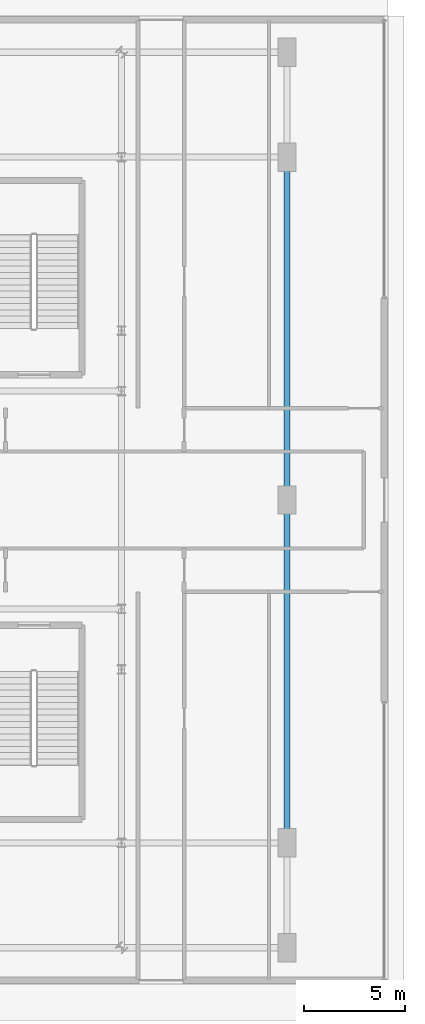
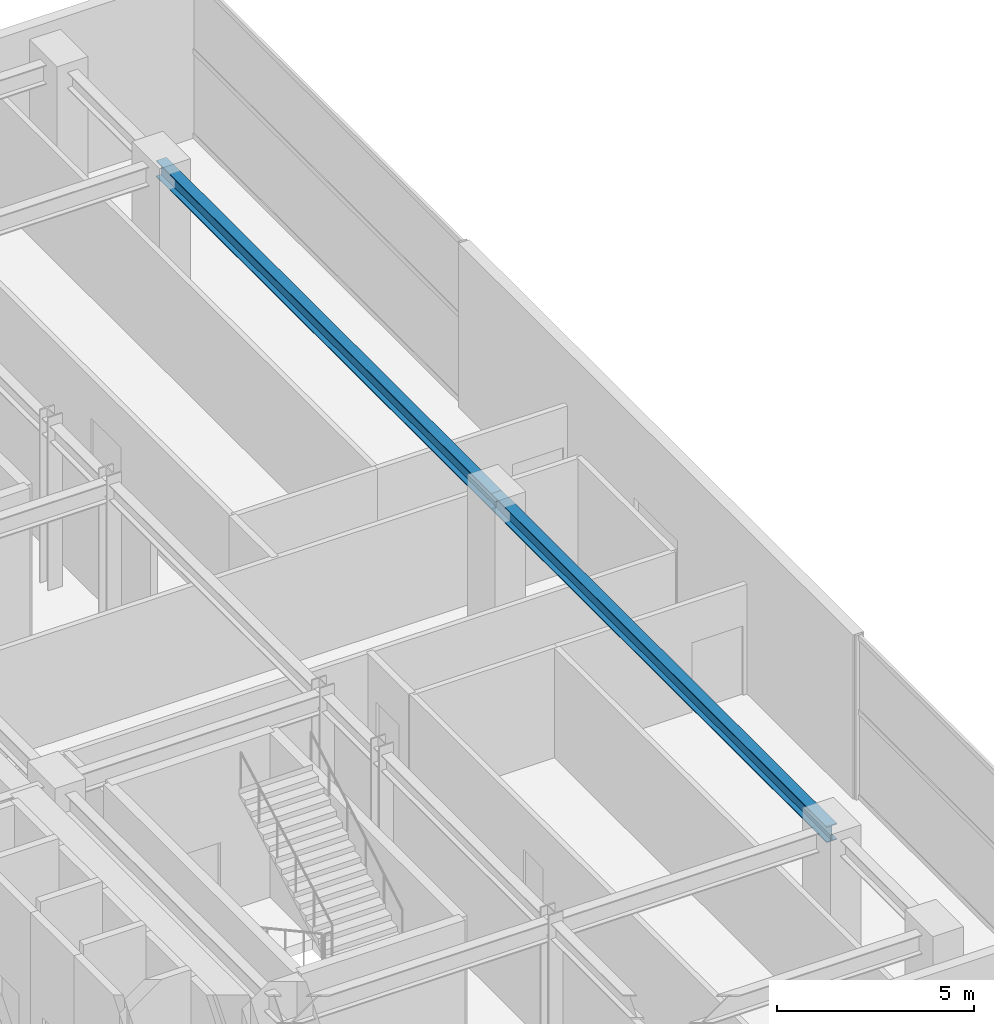
# One storey, part 19 of 29: 2 beams.
"""IFC4 building model written with IfcOpenShell, lengths in metres."""

from ifc_helpers import new_model, si_unit, direction, frame, origin, origin_2d, place, context, subcontext, project, spatial, i_section, extrude, source, transform, mapped, material, material_profile, profile_set, type_object, element, save


model = new_model("IFC4")

# Units and contexts
model_context = context("Model", 3, precision=1e-05, world=origin(), true_north=direction((0.0, 1.0)))
body_context = subcontext(model_context, "Body", "Model", "MODEL_VIEW")
ifc_project = project(units=[si_unit("LENGTHUNIT", "METRE"), si_unit("AREAUNIT", "SQUARE_METRE"), si_unit("VOLUMEUNIT", "CUBIC_METRE"), si_unit("PLANEANGLEUNIT", "RADIAN"), si_unit("MASSUNIT", "GRAM", prefix="KILO")], contexts=[model_context])

# Site, building, storey
site_placement = place(None, origin())
site = spatial("IfcSite", under=ifc_project, at=site_placement, CompositionType="ELEMENT")
building_placement = place(site_placement, origin())
building = spatial("IfcBuilding", under=site, at=building_placement, Name="Nahalor Promenade Grand Hotel", CompositionType="ELEMENT")
storey_placement = place(building_placement, origin())
storey = spatial("IfcBuildingStorey", under=building, at=storey_placement, Name="L00", CompositionType="ELEMENT", Elevation=0.0)

# Beams
ifc_material = material(Name="Steel S355JR", Category="steel")
ifc_material_profile = material_profile(ifc_material, i_section(OverallWidth=0.3, OverallDepth=0.5, WebThickness=0.0145, FlangeThickness=0.028, at=origin_2d()), Name="HEB 500")
ifc_profile_set = profile_set([ifc_material_profile], Name="Steel S355JR")
beam_type = type_object("IfcBeamType", Name="Beam-Spandrel-HEB500", PredefinedType="SPANDREL", material=ifc_profile_set)
shared_shape = source(origin(), body_context, "Body", "SweptSolid", [
    extrude(i_section(OverallWidth=0.3, OverallDepth=0.5, WebThickness=0.0145, FlangeThickness=0.028, at=origin_2d()), origin(), (0.0, 0.0, 1.0), 17.0),
])
for number, where, z_axis, x_axis, name in (
    (1, (33.0, -17.0, 4.830078125), (0.0, 1.0, 0.0), (-1.0, 0.0, 0.0), "BM-L00-PE-1"),
    (2, (33.0, 0.0, 4.830078125), (0.0, 1.0, 0.0), (-1.0, 0.0, 0.0), "BM-L00-PE-2"),
):
    element("IfcBeam", number, at=place(storey_placement, frame(where, z_axis=z_axis, x_axis=x_axis)), inside=storey, type_object=beam_type, Name=name, PredefinedType="SPANDREL", context=body_context, shape_type="MappedRepresentation", body=[
        mapped(shared_shape, transform((0.0, 0.0, 0.0), scale=1.0)),
    ])

save(model, "model.ifc")
